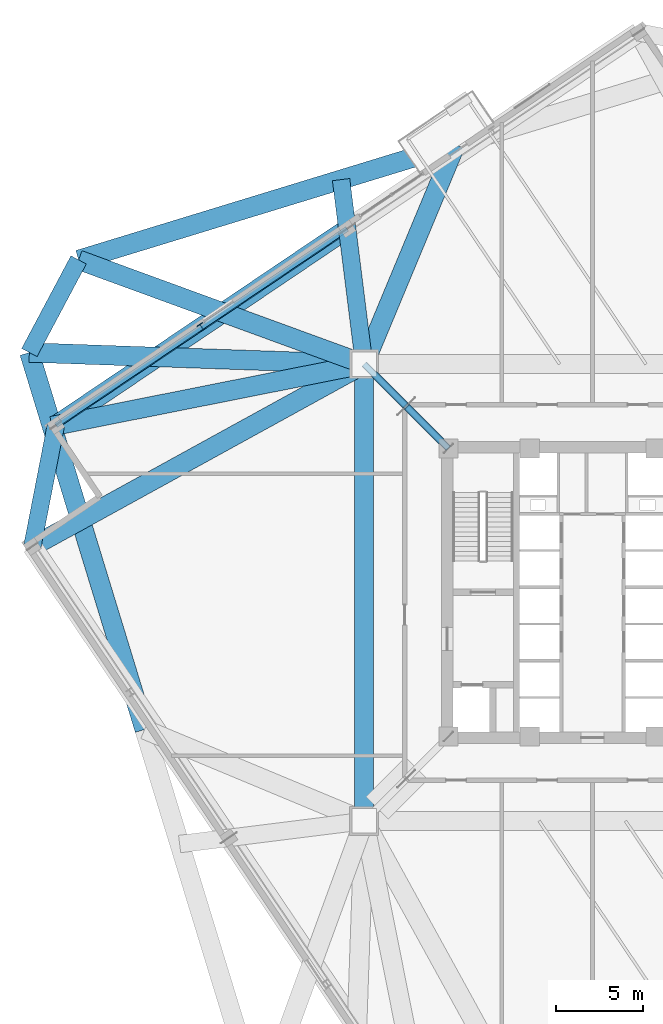
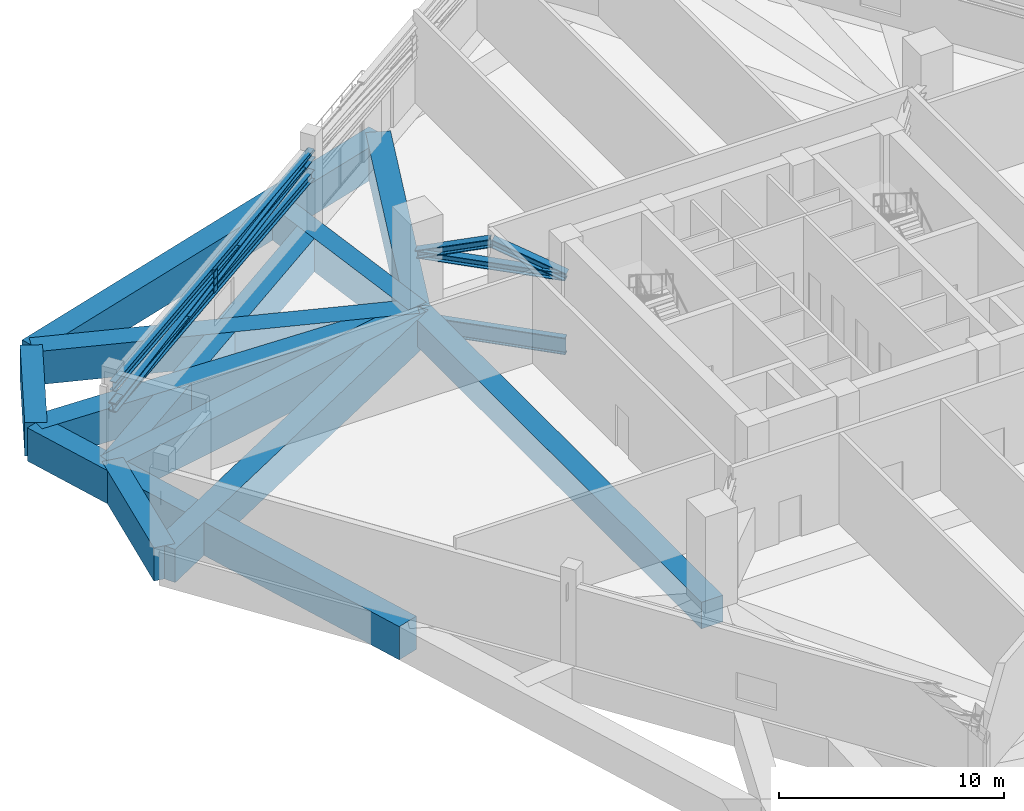
# One storey, part 5 of 21: 13 beams, 7 members.
"""IFC4 building model written with IfcOpenShell, lengths in metres."""

from ifc_helpers import new_model, si_unit, direction, frame, origin, origin_2d, place, context, subcontext, project, spatial, rectangle, i_section, extrude, source, transform, mapped, material, material_profile, profile_set, type_object, element, save


model = new_model("IFC4")

# Units and contexts
model_context = context("Model", 3, precision=1e-05, world=origin(), true_north=direction((0.0, 1.0)))
body_context = subcontext(model_context, "Body", "Model", "MODEL_VIEW")
ifc_project = project(units=[si_unit("LENGTHUNIT", "METRE"), si_unit("AREAUNIT", "SQUARE_METRE"), si_unit("VOLUMEUNIT", "CUBIC_METRE"), si_unit("PLANEANGLEUNIT", "RADIAN"), si_unit("MASSUNIT", "GRAM", prefix="KILO"), si_unit("THERMODYNAMICTEMPERATUREUNIT", "KELVIN")], contexts=[model_context])

# Site, building, storey
site_placement = place(None, origin())
site = spatial("IfcSite", under=ifc_project, at=site_placement, CompositionType="ELEMENT")
building_placement = place(site_placement, origin())
building = spatial("IfcBuilding", under=site, at=building_placement, Name="Kosmvard Interchange Tower", CompositionType="ELEMENT")
storey_placement = place(building_placement, frame((0.0, 0.0, 139.199951171875)))
storey = spatial("IfcBuildingStorey", under=building, at=storey_placement, Name="L33", CompositionType="ELEMENT", Elevation=139.199951171875)

# Beams
ifc_material_1 = material(Name="Steel S460", Category="steel")
ifc_material_profile_1 = material_profile(ifc_material_1, i_section(OverallWidth=0.30810546875, OverallDepth=0.909912109375, WebThickness=0.02099609375, FlangeThickness=0.0400390625, FilletRadius=0.027099609375, at=origin_2d()), Name="HEM 900")
ifc_profile_set_1 = profile_set([ifc_material_profile_1], Name="Steel S460")
beam_type_1 = type_object("IfcBeamType", Name="Primary Mega-Frame Girder HEM 900 S460", PredefinedType="BEAM", material=ifc_profile_set_1)
shared_shape_1 = source(origin(), body_context, "Body", "SweptSolid", [
    extrude(i_section(OverallWidth=0.30810546875, OverallDepth=0.909912109375, WebThickness=0.02099609375, FlangeThickness=0.0400390625, FilletRadius=0.027099609375, at=origin_2d()), origin(), (0.0, 0.0, 1.0), 6.83203125),
])
beam_1_placement = place(storey_placement, frame((-8.25, 8.25, -0.85498046875), z_axis=(-0.707106781187, 0.707106781187, 0.0), x_axis=(-0.707106781187, -0.707106781187, 0.0)))
element("IfcBeam", 1, at=beam_1_placement, inside=storey, type_object=beam_type_1, Name="L33 Radial Mega-Frame Girder 4", PredefinedType="BEAM", context=body_context, shape_type="MappedRepresentation", body=[
    mapped(shared_shape_1, transform((0.0, 0.0, 0.0), scale=1.0)),
])
ifc_material_2 = material(Name="Concrete C70/85", Category="concrete")
ifc_material_profile_2 = material_profile(ifc_material_2, rectangle(XDim=1.10009765625, YDim=1.43994140625, at=origin_2d()), Name="TG 1100x1440")
ifc_profile_set_2 = profile_set([ifc_material_profile_2], Name="Concrete C70/85")
beam_type_2 = type_object("IfcBeamType", Name="Mega-Frame Transfer Ring Girder 1100x1440 C70/85", PredefinedType="USERDEFINED", material=ifc_profile_set_2)
shared_shape_2 = source(origin(), body_context, "Body", "SweptSolid", [
    extrude(rectangle(XDim=1.10009765625, YDim=1.43994140625, at=origin_2d()), origin(), (0.0, 0.0, 1.0), 26.162109375),
])
beam_2_placement = place(storey_placement, frame((-13.0810546875, 13.0810546875, -0.719970703125), z_axis=(0.0, -1.0, 0.0), x_axis=(1.0, 0.0, 0.0)))
element("IfcBeam", 2, at=beam_2_placement, inside=storey, type_object=beam_type_2, Name="L33 Mega-Column Ring Girder 4", ObjectType="TRANSFER_GIRDER", PredefinedType="USERDEFINED", context=body_context, shape_type="MappedRepresentation", body=[
    mapped(shared_shape_2, transform((0.0, 0.0, 0.0), scale=1.0)),
])
ifc_material_3 = material(Name="Concrete C60/75", Category="concrete")
ifc_material_profile_3 = material_profile(ifc_material_3, rectangle(XDim=1.1201171875, YDim=1.800048828125, at=origin_2d()), Name="TG 1120x1800")
ifc_profile_set_3 = profile_set([ifc_material_profile_3], Name="Concrete C60/75")
beam_type_3 = type_object("IfcBeamType", Name="Zone Long-Span Transfer Girder 1120x1800 C60/75", PredefinedType="USERDEFINED", material=ifc_profile_set_3)
shared_shape_3 = source(origin(), body_context, "Body", "SweptSolid", [
    extrude(rectangle(XDim=1.1201171875, YDim=1.800048828125, at=origin_2d()), origin(), (0.0, 0.0, 1.0), 19.18359375),
])
beam_3_placement = place(storey_placement, frame((-13.0810546875, 13.0810546875, -0.89990234375), z_axis=(-0.999399801397, 0.034641549738, 0.0), x_axis=(-0.034641549738, -0.999399801397, 0.0)))
element("IfcBeam", 3, at=beam_3_placement, inside=storey, type_object=beam_type_3, Name="BM-L33-LD10", ObjectType="TRANSFER_GIRDER", PredefinedType="USERDEFINED", context=body_context, shape_type="MappedRepresentation", body=[
    mapped(shared_shape_3, transform((0.0, 0.0, 0.0), scale=1.0)),
])
shared_shape_4 = source(origin(), body_context, "Body", "SweptSolid", [
    extrude(rectangle(XDim=1.1201171875, YDim=1.800048828125, at=origin_2d()), origin(), (0.0, 0.0, 1.0), 22.57470703125),
])
beam_4_placement = place(storey_placement, frame((-32.253173828125, 13.74560546875, -0.89990234375), z_axis=(0.292376241995, -0.956303368768, 0.0), x_axis=(0.956303368768, 0.292376241995, 0.0)))
element("IfcBeam", 4, at=beam_4_placement, inside=storey, type_object=beam_type_3, Name="BM-L33-LR10", ObjectType="TRANSFER_GIRDER", PredefinedType="USERDEFINED", context=body_context, shape_type="MappedRepresentation", body=[
    mapped(shared_shape_4, transform((0.0, 0.0, 0.0), scale=1.0)),
])
shared_shape_5 = source(origin(), body_context, "Body", "SweptSolid", [
    extrude(rectangle(XDim=1.1201171875, YDim=1.800048828125, at=origin_2d()), origin(), (0.0, 0.0, 1.0), 22.574951171875),
])
beam_5_placement = place(storey_placement, frame((-7.8427734375, 25.65283203125, -0.89990234375), z_axis=(-0.956304293239, -0.292373218222, 0.0), x_axis=(0.292373218222, -0.956304293239, 0.0)))
element("IfcBeam", 5, at=beam_5_placement, inside=storey, type_object=beam_type_3, Name="BM-L33-LR08", ObjectType="TRANSFER_GIRDER", PredefinedType="USERDEFINED", context=body_context, shape_type="MappedRepresentation", body=[
    mapped(shared_shape_5, transform((0.0, 0.0, 0.0), scale=1.0)),
])
shared_shape_6 = source(origin(), body_context, "Body", "SweptSolid", [
    extrude(rectangle(XDim=1.1201171875, YDim=1.800048828125, at=origin_2d()), origin(), (0.0, 0.0, 1.0), 17.40673828125),
])
beam_6_placement = place(storey_placement, frame((-13.0810546875, 13.0810546875, -0.89990234375), z_axis=(-0.939315429031, 0.343054696491, 0.0), x_axis=(-0.343054696491, -0.939315429031, 0.0)))
element("IfcBeam", 6, at=beam_6_placement, inside=storey, type_object=beam_type_3, Name="BM-L33-LD09", ObjectType="TRANSFER_GIRDER", PredefinedType="USERDEFINED", context=body_context, shape_type="MappedRepresentation", body=[
    mapped(shared_shape_6, transform((0.0, 0.0, 0.0), scale=1.0)),
])
ifc_material_profile_4 = material_profile(ifc_material_3, rectangle(XDim=1.0, YDim=1.800048828125, at=origin_2d()), Name="TG 1000x1800")
ifc_profile_set_4 = profile_set([ifc_material_profile_4], Name="Concrete C60/75")
beam_type_4 = type_object("IfcBeamType", Name="Zone Transfer Ring Girder 1000x1800 C60/75", PredefinedType="USERDEFINED", material=ifc_profile_set_4)
shared_shape_7 = source(origin(), body_context, "Body", "SweptSolid", [
    extrude(rectangle(XDim=1.0, YDim=1.800048828125, at=origin_2d()), origin(), (0.0, 0.0, 1.0), 6.010498046875),
])
beam_7_placement = place(storey_placement, frame((-29.431396484375, 19.052490234375, -0.89990234375), z_axis=(-0.469478912111, -0.882943685114, 0.0), x_axis=(0.882943685114, -0.469478912111, 0.0)))
element("IfcBeam", 7, at=beam_7_placement, inside=storey, type_object=beam_type_4, Name="BM-L33-LR09", ObjectType="TRANSFER_GIRDER", PredefinedType="USERDEFINED", context=body_context, shape_type="MappedRepresentation", body=[
    mapped(shared_shape_7, transform((0.0, 0.0, 0.0), scale=1.0)),
])

# Members
ifc_material_profile_5 = material_profile(ifc_material_1, i_section(OverallWidth=0.40087890625, OverallDepth=0.39892578125, WebThickness=0.0185546875, FlangeThickness=0.028076171875, FilletRadius=0.014892578125, at=origin_2d()), Name="HD 400x314")
ifc_profile_set_5 = profile_set([ifc_material_profile_5], Name="Steel S460")
member_type_1 = type_object("IfcMemberType", Name="Outrigger Top and Bottom Chord HD 400x314 S460", PredefinedType="CHORD", material=ifc_profile_set_5)
shared_shape_8 = source(origin(), body_context, "Body", "SweptSolid", [
    extrude(i_section(OverallWidth=0.40087890625, OverallDepth=0.39892578125, WebThickness=0.0185546875, FlangeThickness=0.028076171875, FilletRadius=0.014892578125, at=origin_2d()), origin(), (0.0, 0.0, 1.0), 6.83203125),
])
member_1_placement = place(storey_placement, frame((-8.25, 8.25, 2.920166015625), z_axis=(-0.707106781187, 0.707106781187, 0.0), x_axis=(-0.707106781187, -0.707106781187, 0.0)))
element("IfcMember", 8, at=member_1_placement, inside=storey, type_object=member_type_1, Name="L33 Outrigger Bottom Chord 4", PredefinedType="CHORD", context=body_context, shape_type="MappedRepresentation", body=[
    mapped(shared_shape_8, transform((0.0, 0.0, 0.0), scale=1.0)),
])
ifc_material_profile_6 = material_profile(ifc_material_1, i_section(OverallWidth=0.3759765625, OverallDepth=0.386962890625, WebThickness=0.01953125, FlangeThickness=0.031982421875, FilletRadius=0.014892578125, at=origin_2d()), Name="HD 360x329")
ifc_profile_set_6 = profile_set([ifc_material_profile_6], Name="Steel S460")
member_type_2 = type_object("IfcMemberType", Name="Belt Truss Vertical Post HD 360x329 S460", PredefinedType="STUD", material=ifc_profile_set_6)
shared_shape_9 = source(origin(), body_context, "Body", "SweptSolid", [
    extrude(i_section(OverallWidth=0.3759765625, OverallDepth=0.386962890625, WebThickness=0.01953125, FlangeThickness=0.031982421875, FilletRadius=0.014892578125, at=origin_2d()), origin(), (0.0, 0.0, 1.0), 1.139892578125),
])
member_2_placement = place(storey_placement, frame((-22.391845703125, 15.20263671875, 2.820068359375), z_axis=(0.0, 0.0, 1.0), x_axis=(0.829037572555, 0.559192903471, 0.0)))
element("IfcMember", 9, at=member_2_placement, inside=storey, type_object=member_type_2, Name="L33 Belt Truss Post N2", PredefinedType="STUD", context=body_context, shape_type="MappedRepresentation", body=[
    mapped(shared_shape_9, transform((0.0, 0.0, 0.0), scale=1.0)),
])

# Beams
shared_shape_10 = source(origin(), body_context, "Body", "SweptSolid", [
    extrude(rectangle(XDim=1.1201171875, YDim=1.800048828125, at=origin_2d()), origin(), (0.0, 0.0, 1.0), 13.619384765625),
])
beam_8_placement = place(storey_placement, frame((-13.0810546875, 13.0810546875, -0.89990234375), z_axis=(0.384617930303, 0.92307586237, 0.0), x_axis=(-0.92307586237, 0.384617930303, 0.0)))
element("IfcBeam", 10, at=beam_8_placement, inside=storey, type_object=beam_type_3, Name="BM-L33-LD08", ObjectType="TRANSFER_GIRDER", PredefinedType="USERDEFINED", context=body_context, shape_type="MappedRepresentation", body=[
    mapped(shared_shape_10, transform((0.0, 0.0, 0.0), scale=1.0)),
])
shared_shape_11 = source(origin(), body_context, "Body", "SweptSolid", [
    extrude(rectangle(XDim=1.1201171875, YDim=1.800048828125, at=origin_2d()), origin(), (0.0, 0.0, 1.0), 21.684326171875),
])
beam_9_placement = place(storey_placement, frame((-13.0810546875, 13.0810546875, -0.89990234375), z_axis=(-0.876311689012, -0.48174456271, 0.0), x_axis=(0.48174456271, -0.876311689012, 0.0)))
element("IfcBeam", 11, at=beam_9_placement, inside=storey, type_object=beam_type_3, Name="BM-L33-RD10", ObjectType="TRANSFER_GIRDER", PredefinedType="USERDEFINED", context=body_context, shape_type="MappedRepresentation", body=[
    mapped(shared_shape_11, transform((0.0, 0.0, 0.0), scale=1.0)),
])
shared_shape_12 = source(origin(), body_context, "Body", "SweptSolid", [
    extrude(rectangle(XDim=1.1201171875, YDim=1.800048828125, at=origin_2d()), origin(), (0.0, 0.0, 1.0), 20.125),
])
beam_10_placement = place(storey_placement, frame((-14.0498046875, 20.82958984375, -0.89990234375), z_axis=(-0.829038908426, -0.559190922956, 0.0), x_axis=(0.559190922956, -0.829038908426, 0.0)))
element("IfcBeam", 12, at=beam_10_placement, inside=storey, type_object=beam_type_3, Name="BM-L33-PR08", ObjectType="TRANSFER_GIRDER", PredefinedType="USERDEFINED", context=body_context, shape_type="MappedRepresentation", body=[
    mapped(shared_shape_12, transform((0.0, 0.0, 0.0), scale=1.0)),
])
shared_shape_13 = source(origin(), body_context, "Body", "SweptSolid", [
    extrude(rectangle(XDim=1.0, YDim=1.800048828125, at=origin_2d()), origin(), (0.0, 0.0, 1.0), 10.648681640625),
])
beam_11_placement = place(storey_placement, frame((-13.0810546875, 13.0810546875, -0.89990234375), z_axis=(-0.124057308709, 0.992275054688, 0.0), x_axis=(-0.992275054688, -0.124057308709, 0.0)))
element("IfcBeam", 13, at=beam_11_placement, inside=storey, type_object=beam_type_4, Name="BM-L33-RD08", ObjectType="TRANSFER_GIRDER", PredefinedType="USERDEFINED", context=body_context, shape_type="MappedRepresentation", body=[
    mapped(shared_shape_13, transform((0.0, 0.0, 0.0), scale=1.0)),
])
shared_shape_14 = source(origin(), body_context, "Body", "SweptSolid", [
    extrude(rectangle(XDim=1.1201171875, YDim=1.800048828125, at=origin_2d()), origin(), (0.0, 0.0, 1.0), 18.232421875),
])
beam_12_placement = place(storey_placement, frame((-13.0810546875, 13.0810546875, -0.89990234375), z_axis=(-0.980850127743, -0.194764028779, 0.0), x_axis=(0.194764028779, -0.980850127743, 0.0)))
element("IfcBeam", 14, at=beam_12_placement, inside=storey, type_object=beam_type_3, Name="BM-L33-RD09", ObjectType="TRANSFER_GIRDER", PredefinedType="USERDEFINED", context=body_context, shape_type="MappedRepresentation", body=[
    mapped(shared_shape_14, transform((0.0, 0.0, 0.0), scale=1.0)),
])
shared_shape_15 = source(origin(), body_context, "Body", "SweptSolid", [
    extrude(rectangle(XDim=1.0, YDim=1.800048828125, at=origin_2d()), origin(), (0.0, 0.0, 1.0), 7.071044921875),
])
beam_13_placement = place(storey_placement, frame((-30.734130859375, 9.575927734375, -0.89990234375), z_axis=(-0.190794803533, -0.981629941956, 0.0), x_axis=(0.981629941956, -0.190794803533, 0.0)))
element("IfcBeam", 15, at=beam_13_placement, inside=storey, type_object=beam_type_4, Name="BM-L33-PR09", ObjectType="TRANSFER_GIRDER", PredefinedType="USERDEFINED", context=body_context, shape_type="MappedRepresentation", body=[
    mapped(shared_shape_15, transform((0.0, 0.0, 0.0), scale=1.0)),
])

# Members
ifc_material_profile_7 = material_profile(ifc_material_1, i_section(OverallWidth=0.408935546875, OverallDepth=0.425048828125, WebThickness=0.02392578125, FlangeThickness=0.0390625, FilletRadius=0.014892578125, at=origin_2d()), Name="HD 400x421")
ifc_profile_set_7 = profile_set([ifc_material_profile_7], Name="Steel S460")
member_type_3 = type_object("IfcMemberType", Name="Radial Outrigger Diagonal HD 400x421 S460", PredefinedType="BRACE", material=ifc_profile_set_7)
shared_shape_16 = source(origin(), body_context, "Body", "SweptSolid", [
    extrude(i_section(OverallWidth=0.408935546875, OverallDepth=0.425048828125, WebThickness=0.02392578125, FlangeThickness=0.0390625, FilletRadius=0.014892578125, at=origin_2d()), origin(), (0.0, 0.0, 1.0), 3.62744140625),
])
for number, where, z_axis, x_axis, name in (
    (16, (-8.25, 8.25, 2.920166015625), (-0.665915478014, 0.665915478014, 0.336322988037), (-0.707106781187, -0.707106781187, 0.0), "L33 Outrigger Diagonal 4A"),
    (17, (-10.66552734375, 10.66552734375, 4.14013671875), (-0.665915478014, 0.665915478014, -0.336322988037), (-0.707106781187, -0.707106781187, 0.0), "L33 Outrigger Diagonal 4B"),
):
    element("IfcMember", number, at=place(storey_placement, frame(where, z_axis=z_axis, x_axis=x_axis)), inside=storey, type_object=member_type_3, Name=name, PredefinedType="BRACE", context=body_context, shape_type="MappedRepresentation", body=[
        mapped(shared_shape_16, transform((0.0, 0.0, 0.0), scale=1.0)),
    ])
ifc_material_profile_8 = material_profile(ifc_material_1, i_section(OverallWidth=0.300048828125, OverallDepth=0.5, WebThickness=0.014404296875, FlangeThickness=0.028076171875, FilletRadius=0.027099609375, at=origin_2d()), Name="HEB 500")
ifc_profile_set_8 = profile_set([ifc_material_profile_8], Name="Steel S460")
member_type_4 = type_object("IfcMemberType", Name="Belt Truss Chord HEB 500 S460", PredefinedType="CHORD", material=ifc_profile_set_8)
shared_shape_17 = source(origin(), body_context, "Body", "SweptSolid", [
    extrude(i_section(OverallWidth=0.300048828125, OverallDepth=0.5, WebThickness=0.014404296875, FlangeThickness=0.028076171875, FilletRadius=0.027099609375, at=origin_2d()), origin(), (0.0, 0.0, 1.0), 20.125),
])
for number, where, z_axis, x_axis, name in (
    (18, (-14.0498046875, 20.82958984375, 2.820068359375), (-0.829038908426, -0.559190922956, 0.0), (0.559190922956, -0.829038908426, 0.0), "L33 Belt Truss Bottom Chord N2"),
    (19, (-14.0498046875, 20.82958984375, 3.9599609375), (-0.829038908426, -0.559190922956, 0.0), (0.559190922956, -0.829038908426, 0.0), "L33 Belt Truss Top Chord N2"),
):
    element("IfcMember", number, at=place(storey_placement, frame(where, z_axis=z_axis, x_axis=x_axis)), inside=storey, type_object=member_type_4, Name=name, PredefinedType="CHORD", context=body_context, shape_type="MappedRepresentation", body=[
        mapped(shared_shape_17, transform((0.0, 0.0, 0.0), scale=1.0)),
    ])
ifc_material_profile_9 = material_profile(ifc_material_1, i_section(OverallWidth=0.406005859375, OverallDepth=0.416015625, WebThickness=0.021484375, FlangeThickness=0.034912109375, FilletRadius=0.014892578125, at=origin_2d()), Name="HD 400x382")
ifc_profile_set_9 = profile_set([ifc_material_profile_9], Name="Steel S460")
member_type_5 = type_object("IfcMemberType", Name="Perimeter Belt Truss Diagonal HD 400x382 S460", PredefinedType="BRACE", material=ifc_profile_set_9)
shared_shape_18 = source(origin(), body_context, "Body", "SweptSolid", [
    extrude(i_section(OverallWidth=0.406005859375, OverallDepth=0.416015625, WebThickness=0.021484375, FlangeThickness=0.034912109375, FilletRadius=0.014892578125, at=origin_2d()), origin(), (0.0, 0.0, 1.0), 20.1572265625),
])
member_3_placement = place(storey_placement, frame((-30.734130859375, 9.575927734375, 2.820068359375), z_axis=(0.827712241777, 0.558296079613, 0.056550263493), x_axis=(-0.559190922956, 0.829038908426, 0.0)))
element("IfcMember", 20, at=member_3_placement, inside=storey, type_object=member_type_5, Name="L33 Belt Truss Diagonal N2", PredefinedType="BRACE", context=body_context, shape_type="MappedRepresentation", body=[
    mapped(shared_shape_18, transform((0.0, 0.0, 0.0), scale=1.0)),
])

save(model, "model.ifc")
